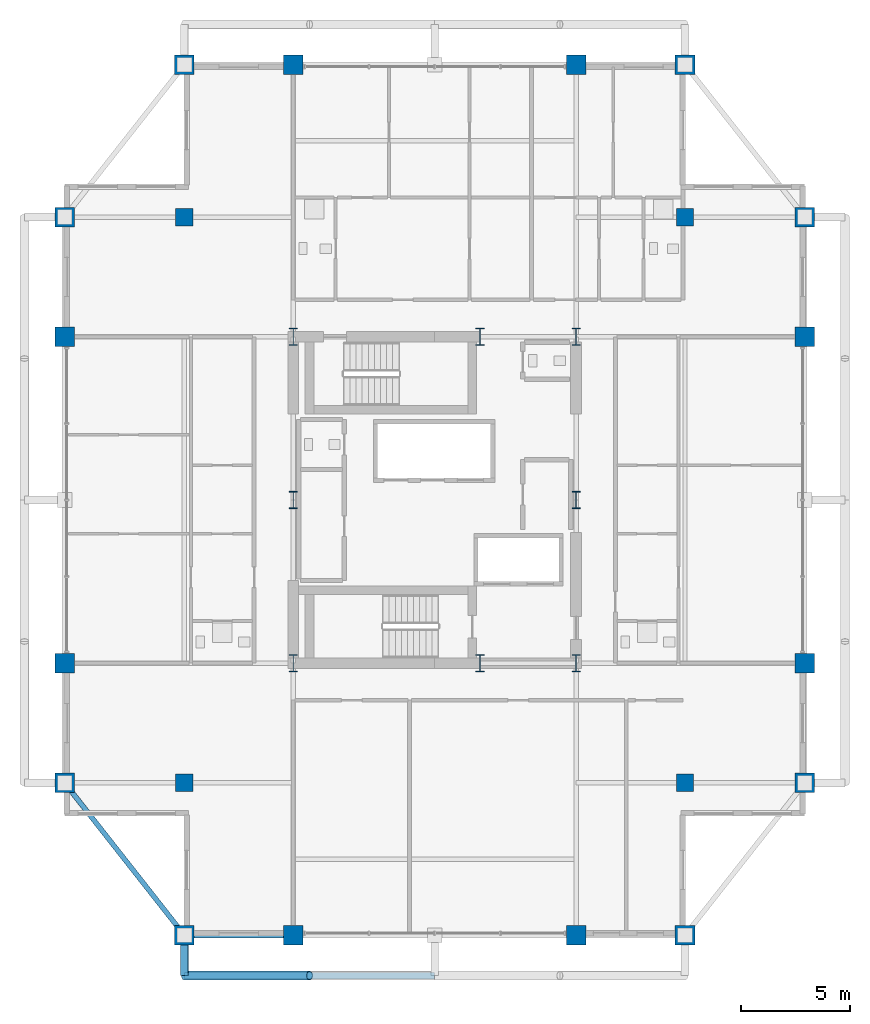
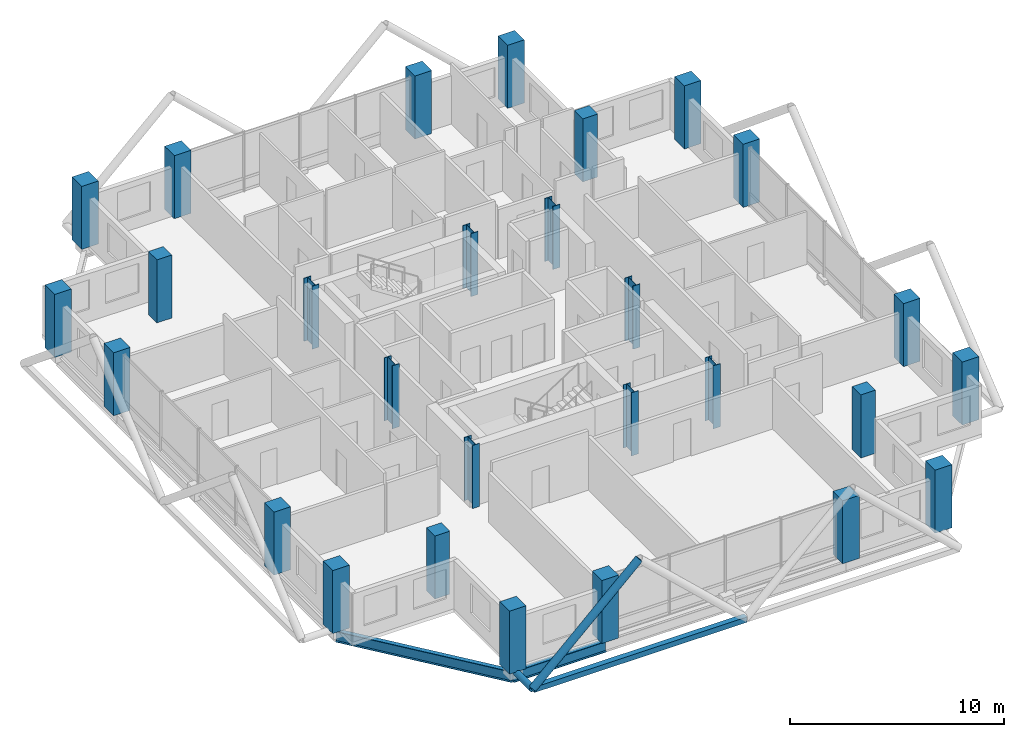
# One storey, part 1 of 24: 28 columns, 3 members, 2 beams.
"""IFC4 building model written with IfcOpenShell, lengths in metres."""

import ifcopenshell
import ifcopenshell.guid

model = None  # the IFC model being written
_history = None  # IfcOwnerHistory: only IFC2X3 demands one
_inside = {}  # id of a spatial element -> (the spatial element, [elements in it])
_under = {}  # id of a project, library or spatial element -> (it, [spatial elements below it])
_declared = {}  # id of a project -> (the project, [libraries it declares])
_typed = {}  # id of a type object -> (the type object, [elements of that type])
_made_of = {}  # id of a material, layer set ... -> (it, [elements and type objects made of it])


def new_model(schema):
    """Start an empty IFC model of exactly this schema.

    Asked for "IFC4X3", IfcOpenShell would pick the latest addendum, in which some entities
    have other attributes; the version numbers below select the first issue.
    IFC2X3 requires an IfcOwnerHistory on every rooted entity: one is made here for all.
    """
    global model, _history
    if schema == "IFC4X3":
        model = ifcopenshell.file(schema_version=(4, 3, 0, 0))
    else:
        model = ifcopenshell.file(schema=schema)
    _inside.clear()
    _under.clear()
    _declared.clear()
    _typed.clear()
    _made_of.clear()
    _history = None
    if model.schema == "IFC2X3":
        org = make("IfcOrganization", Name="unknown")
        user = make(
            "IfcPersonAndOrganization",
            ThePerson=make("IfcPerson", FamilyName="unknown"),
            TheOrganization=org,
        )
        app = make(
            "IfcApplication",
            ApplicationDeveloper=org,
            Version="unknown",
            ApplicationFullName="unknown",
            ApplicationIdentifier="unknown",
        )
        _history = make(
            "IfcOwnerHistory",
            OwningUser=user,
            OwningApplication=app,
            ChangeAction="ADDED",
            CreationDate=0,
        )
    return model


def make(cls, **values):
    """One entity of the class cls with the attributes given. An attribute that is None is left unset."""
    return model.create_entity(
        cls, **{name: value for name, value in values.items() if value is not None}
    )


def rooted(cls, **values):
    """An entity with a GlobalId (a new one), such as an element, a storey or a relation."""
    return make(cls, GlobalId=ifcopenshell.guid.new(), OwnerHistory=_history, **values)


def si_unit(unit_type, name, prefix=None):
    """IfcSIUnit, for example si_unit("LENGTHUNIT", "METRE", prefix="MILLI")."""
    return make("IfcSIUnit", UnitType=unit_type, Prefix=prefix, Name=name)


def assignment(units):
    """IfcUnitAssignment: the units of a project."""
    return None if units is None else make("IfcUnitAssignment", Units=units)


def point(xyz):
    """IfcCartesianPoint."""
    return None if xyz is None else make("IfcCartesianPoint", Coordinates=xyz)


def direction(xyz):
    """IfcDirection."""
    return None if xyz is None else make("IfcDirection", DirectionRatios=xyz)


def frame(location, z_axis=None, x_axis=None):
    """IfcAxis2Placement3D, a coordinate frame: its origin and axes. An axis left out is left unset."""
    return make(
        "IfcAxis2Placement3D",
        Location=point(location),
        Axis=direction(z_axis),
        RefDirection=direction(x_axis),
    )


def frame_2d(location, x_axis=None):
    """IfcAxis2Placement2D, a coordinate frame in the plane: its origin and x axis."""
    return make(
        "IfcAxis2Placement2D", Location=point(location), RefDirection=direction(x_axis)
    )


def origin():
    """The frame at (0, 0, 0) with its axes left unset."""
    return frame((0.0, 0.0, 0.0))


def origin_2d():
    """The frame at (0, 0) in the plane with its x axis left unset."""
    return frame_2d((0.0, 0.0))


def place(relative_to, where):
    """IfcLocalPlacement: puts the frame where relative to a parent placement (None: the world)."""
    return make(
        "IfcLocalPlacement", PlacementRelTo=relative_to, RelativePlacement=where
    )


def context(
    kind, dimensions, precision=None, world=None, true_north=None, identifier=None
):
    """IfcGeometricRepresentationContext, for example the 3D "Model" context."""
    return make(
        "IfcGeometricRepresentationContext",
        ContextIdentifier=identifier,
        ContextType=kind,
        CoordinateSpaceDimension=dimensions,
        Precision=precision,
        WorldCoordinateSystem=world,
        TrueNorth=true_north,
    )


def subcontext(parent, identifier, kind, view, scale=None):
    """IfcGeometricRepresentationSubContext, for example "Body" below "Model"."""
    return make(
        "IfcGeometricRepresentationSubContext",
        ContextIdentifier=identifier,
        ContextType=kind,
        ParentContext=parent,
        TargetScale=scale,
        TargetView=view,
    )


def project(units=None, contexts=None):
    """IfcProject with its units and contexts."""
    return rooted(
        "IfcProject",
        Name="project",
        RepresentationContexts=contexts,
        UnitsInContext=assignment(units),
    )


def spatial(cls, under=None, at=None, **own):
    """A site, building, storey or space (cls), placed at a placement, below another one or the project."""
    s = rooted(cls, ObjectPlacement=at, **own)
    if under is not None:
        _under.setdefault(under.id(), (under, []))[1].append(s)
    return s


def profile(cls, at=None, kind="AREA", **sizes):
    """A parametric profile (cls). Its sizes go by their IFC names, for example OverallWidth=200.0."""
    return make(cls, ProfileType=kind, Position=at, **sizes)


def rectangle(**sizes):
    """IfcRectangleProfileDef."""
    return profile("IfcRectangleProfileDef", **sizes)


def hollow_rectangle(**sizes):
    """IfcRectangleHollowProfileDef."""
    return profile("IfcRectangleHollowProfileDef", **sizes)


def hollow_circle(**sizes):
    """IfcCircleHollowProfileDef."""
    return profile("IfcCircleHollowProfileDef", **sizes)


def i_section(**sizes):
    """IfcIShapeProfileDef."""
    return profile("IfcIShapeProfileDef", **sizes)


def extrude(swept, where, along, depth):
    """IfcExtrudedAreaSolid: the profile swept, set in the frame where, extruded along a direction by depth."""
    return make(
        "IfcExtrudedAreaSolid",
        SweptArea=swept,
        Position=where,
        ExtrudedDirection=direction(along),
        Depth=depth,
    )


def shape(context_of_items, identifier, shape_type, items):
    """IfcShapeRepresentation: the items that make up one representation, for example the "Body"."""
    return make(
        "IfcShapeRepresentation",
        ContextOfItems=context_of_items,
        RepresentationIdentifier=identifier,
        RepresentationType=shape_type,
        Items=items,
    )


def material(Name=None, Category=None):
    """IfcMaterial."""
    return make("IfcMaterial", Name=Name, Category=Category)


def material_profile(
    of_material, cross_section, Name=None, Category=None, Priority=None
):
    """IfcMaterialProfile: a cross section and its material."""
    return make(
        "IfcMaterialProfile",
        Name=Name,
        Material=of_material,
        Profile=cross_section,
        Priority=Priority,
        Category=Category,
    )


def profile_set(profiles, Name=None, composite=None):
    """IfcMaterialProfileSet."""
    return make(
        "IfcMaterialProfileSet",
        Name=Name,
        MaterialProfiles=profiles,
        CompositeProfile=composite,
    )


def made_of(thing, what):
    """Note that an element or type object is made of a material, layer set ...; save() writes the relation."""
    if what is not None:
        _made_of.setdefault(what.id(), (what, []))[1].append(thing)
    return thing


def type_object(cls, material=None, **own):
    """A type object (cls), such as IfcWallType, which elements share."""
    return made_of(rooted(cls, **own), material)


def element(
    cls,
    number,
    at=None,
    inside=None,
    cuts=None,
    type_object=None,
    material=None,
    context=None,
    identifier="Body",
    shape_type=None,
    held_by="IfcProductDefinitionShape",
    body=None,
    shapes=None,
    **own,
):
    """One element of the class cls, such as IfcWall. Its Tag is "e" and its number.

    at: its placement. inside: the storey or other place that contains it. cuts: it is an
    opening in that element (IfcRelVoidsElement). A single representation is given by context,
    identifier, shape_type and body (its items); several are given by shapes. held_by: the class
    of the entity that holds the representations. save() writes the other relations.
    """
    e = rooted(cls, Tag="e%d" % number, ObjectPlacement=at, **own)
    if body is not None:
        shapes = [shape(context, identifier, shape_type, body)]
    if shapes is not None:
        e.Representation = make(held_by, Representations=shapes)
    if inside is not None:
        _inside.setdefault(inside.id(), (inside, []))[1].append(e)
    if cuts is not None:
        rooted(
            "IfcRelVoidsElement", RelatingBuildingElement=cuts, RelatedOpeningElement=e
        )
    if type_object is not None:
        _typed.setdefault(type_object.id(), (type_object, []))[1].append(e)
    return made_of(e, material)


def aggregate(whole, parts):
    """IfcRelAggregates: a whole, such as a stair, and the parts it consists of."""
    return rooted("IfcRelAggregates", RelatingObject=whole, RelatedObjects=parts)


def save(model, path):
    """Write the relations noted so far, then the file.

    IfcRelAggregates (storeys below a building ...), IfcRelContainedInSpatialStructure (elements
    in a storey), IfcRelDefinesByType, IfcRelAssociatesMaterial and IfcRelDeclares: one each for
    every whole, place, type object, material and project.
    """
    for whole, parts in _under.values():
        aggregate(whole, parts)
    for where, things in _inside.values():
        rooted(
            "IfcRelContainedInSpatialStructure",
            RelatedElements=things,
            RelatingStructure=where,
        )
    for kind, things in _typed.values():
        rooted("IfcRelDefinesByType", RelatedObjects=things, RelatingType=kind)
    for what, things in _made_of.values():
        rooted("IfcRelAssociatesMaterial", RelatedObjects=things, RelatingMaterial=what)
    for by, libraries in _declared.values():
        rooted("IfcRelDeclares", RelatingContext=by, RelatedDefinitions=libraries)
    model.write(path)


model = new_model("IFC4")

# Units and contexts
model_context = context("Model", 3, precision=1e-05, world=origin(), true_north=direction((0.0, 1.0)))
body_context = subcontext(model_context, "Body", "Model", "MODEL_VIEW")
ifc_project = project(units=[si_unit("LENGTHUNIT", "METRE"), si_unit("AREAUNIT", "SQUARE_METRE"), si_unit("VOLUMEUNIT", "CUBIC_METRE"), si_unit("PLANEANGLEUNIT", "RADIAN"), si_unit("MASSUNIT", "GRAM", prefix="KILO")], contexts=[model_context])

# Site, building, storey
site_placement = place(None, origin())
site = spatial("IfcSite", under=ifc_project, at=site_placement, CompositionType="ELEMENT")
building_placement = place(site_placement, origin())
building = spatial("IfcBuilding", under=site, at=building_placement, Name="Barlavira Tower and Art Museum", CompositionType="ELEMENT")
storey_placement = place(building_placement, frame((0.0, 0.0, 251.10009765625)))
storey = spatial("IfcBuildingStorey", under=building, at=storey_placement, Name="L65", CompositionType="ELEMENT", Elevation=251.10009765625)

# Columns
ifc_material_1 = material(Name="Steel S355", Category="steel")
ifc_material_profile_1 = material_profile(ifc_material_1, i_section(OverallWidth=0.382080078125, OverallDepth=0.785888671875, WebThickness=0.02001953125, FlangeThickness=0.032958984375, at=origin_2d()), Name="W760x314.0")
ifc_profile_set_1 = profile_set([ifc_material_profile_1], Name="Steel S355")
column_type_1 = type_object("IfcColumnType", Name="Core Composite Column W760x314 Steel S355", PredefinedType="COLUMN", material=ifc_profile_set_1)
for number, where, z_axis, x_axis, name in (
    (1, (-6.5, -7.5, 0.0), (0.0, 0.0, 1.0), (1.0, 0.0, 0.0), "L65 Column CC-L65-C1"),
    (2, (2.080078125, -7.5, 0.0), (0.0, 0.0, 1.0), (1.0, 0.0, 0.0), "L65 Column CC-L65-C2"),
    (3, (6.5, -7.5, 0.0), (0.0, 0.0, 1.0), (1.0, 0.0, 0.0), "L65 Column CC-L65-C3"),
    (4, (-6.5, 0.0, 0.0), (0.0, 0.0, 1.0), (1.0, 0.0, 0.0), "L65 Column CC-L65-C4"),
    (5, (6.5, 0.0, 0.0), (0.0, 0.0, 1.0), (1.0, 0.0, 0.0), "L65 Column CC-L65-C5"),
    (6, (-6.5, 7.5, 0.0), (0.0, 0.0, 1.0), (1.0, 0.0, 0.0), "L65 Column CC-L65-C6"),
    (7, (2.080078125, 7.5, 0.0), (0.0, 0.0, 1.0), (1.0, 0.0, 0.0), "L65 Column CC-L65-C7"),
    (8, (6.5, 7.5, 0.0), (0.0, 0.0, 1.0), (1.0, 0.0, 0.0), "L65 Column CC-L65-C8"),
):
    element("IfcColumn", number, at=place(storey_placement, frame(where, z_axis=z_axis, x_axis=x_axis)), inside=storey, type_object=column_type_1, Name=name, PredefinedType="COLUMN", context=body_context, shape_type="SweptSolid", body=[
        extrude(i_section(OverallWidth=0.382080078125, OverallDepth=0.785888671875, WebThickness=0.02001953125, FlangeThickness=0.032958984375, at=origin_2d()), origin(), (0.0, 0.0, 1.0), 3.599853515625),
    ])
ifc_material_2 = material(Name="Concrete C50", Category="concrete")
ifc_material_profile_2 = material_profile(ifc_material_2, rectangle(XDim=0.89990234375, YDim=0.89990234375, at=origin_2d()), Name="RC-COL 900x900")
ifc_profile_set_2 = profile_set([ifc_material_profile_2], Name="Concrete C50")
column_type_2 = type_object("IfcColumnType", Name="Perimeter Mega Column 900x900 Concrete C50", PredefinedType="USERDEFINED", material=ifc_profile_set_2)
for number, where, z_axis, x_axis, name in (
    (9, (-11.5, -20.0, 0.0), (0.0, 0.0, 1.0), (1.0, 0.0, 0.0), "L65 Column MC-L65-M01"),
    (10, (-6.5, -20.0, 0.0), (0.0, 0.0, 1.0), (1.0, 0.0, 0.0), "L65 Column MC-L65-M02"),
    (11, (6.5, -20.0, 0.0), (0.0, 0.0, 1.0), (1.0, 0.0, 0.0), "L65 Column MC-L65-M03"),
    (12, (11.5, -20.0, 0.0), (0.0, 0.0, 1.0), (1.0, 0.0, 0.0), "L65 Column MC-L65-M04"),
    (13, (17.0, -13.0, 0.0), (0.0, 0.0, 1.0), (1.0, 0.0, 0.0), "L65 Column MC-L65-M05"),
    (14, (17.0, -7.5, 0.0), (0.0, 0.0, 1.0), (1.0, 0.0, 0.0), "L65 Column MC-L65-M06"),
    (15, (17.0, 7.5, 0.0), (0.0, 0.0, 1.0), (1.0, 0.0, 0.0), "L65 Column MC-L65-M07"),
    (16, (17.0, 13.0, 0.0), (0.0, 0.0, 1.0), (1.0, 0.0, 0.0), "L65 Column MC-L65-M08"),
    (17, (11.5, 20.0, 0.0), (0.0, 0.0, 1.0), (1.0, 0.0, 0.0), "L65 Column MC-L65-M09"),
    (18, (6.5, 20.0, 0.0), (0.0, 0.0, 1.0), (1.0, 0.0, 0.0), "L65 Column MC-L65-M10"),
    (19, (-6.5, 20.0, 0.0), (0.0, 0.0, 1.0), (1.0, 0.0, 0.0), "L65 Column MC-L65-M11"),
    (20, (-11.5, 20.0, 0.0), (0.0, 0.0, 1.0), (1.0, 0.0, 0.0), "L65 Column MC-L65-M12"),
    (21, (-17.0, 13.0, 0.0), (0.0, 0.0, 1.0), (1.0, 0.0, 0.0), "L65 Column MC-L65-M13"),
    (22, (-17.0, 7.5, 0.0), (0.0, 0.0, 1.0), (1.0, 0.0, 0.0), "L65 Column MC-L65-M14"),
    (23, (-17.0, -7.5, 0.0), (0.0, 0.0, 1.0), (1.0, 0.0, 0.0), "L65 Column MC-L65-M15"),
    (24, (-17.0, -13.0, 0.0), (0.0, 0.0, 1.0), (1.0, 0.0, 0.0), "L65 Column MC-L65-M16"),
):
    element("IfcColumn", number, at=place(storey_placement, frame(where, z_axis=z_axis, x_axis=x_axis)), inside=storey, type_object=column_type_2, Name=name, ObjectType="MEGA COLUMN", PredefinedType="USERDEFINED", context=body_context, shape_type="SweptSolid", body=[
        extrude(rectangle(XDim=0.89990234375, YDim=0.89990234375, at=origin_2d()), origin(), (0.0, 0.0, 1.0), 3.599853515625),
    ])
ifc_material_profile_3 = material_profile(ifc_material_2, rectangle(XDim=0.800048828125, YDim=0.800048828125, at=origin_2d()), Name="RC-COL 800x800")
ifc_profile_set_3 = profile_set([ifc_material_profile_3], Name="Concrete C50")
column_type_3 = type_object("IfcColumnType", Name="Podium Frame Column 800x800 Concrete C50", PredefinedType="COLUMN", material=ifc_profile_set_3)
for number, where, z_axis, x_axis, name in (
    (25, (-11.5, -13.0, 0.0), (0.0, 0.0, 1.0), (1.0, 0.0, 0.0), "L65 Column CI-L65-I1"),
    (26, (11.5, -13.0, 0.0), (0.0, 0.0, 1.0), (1.0, 0.0, 0.0), "L65 Column CI-L65-I2"),
    (27, (-11.5, 13.0, 0.0), (0.0, 0.0, 1.0), (1.0, 0.0, 0.0), "L65 Column CI-L65-I3"),
    (28, (11.5, 13.0, 0.0), (0.0, 0.0, 1.0), (1.0, 0.0, 0.0), "L65 Column CI-L65-I4"),
):
    element("IfcColumn", number, at=place(storey_placement, frame(where, z_axis=z_axis, x_axis=x_axis)), inside=storey, type_object=column_type_3, Name=name, PredefinedType="COLUMN", context=body_context, shape_type="SweptSolid", body=[
        extrude(rectangle(XDim=0.800048828125, YDim=0.800048828125, at=origin_2d()), origin(), (0.0, 0.0, 1.0), 3.599853515625),
    ])

# Members
ifc_material_profile_4 = material_profile(ifc_material_1, hollow_circle(Radius=0.203125, WallThickness=0.01611328125, at=origin_2d()), Name="CHS 406.4x16.0")
ifc_profile_set_4 = profile_set([ifc_material_profile_4], Name="Steel S355")
member_type_1 = type_object("IfcMemberType", Name="Pale-Metal Exoskeleton Diagrid Tube CHS 406x16 Steel S355", PredefinedType="BRACE", material=ifc_profile_set_4)
member_1_placement = place(storey_placement, frame((-11.5, -21.85009765625, -0.1201171875), z_axis=(0.728950095515, 0.0, 0.684566839869), x_axis=(0.0, 1.0, 0.0)))
element("IfcMember", 29, at=member_1_placement, inside=storey, type_object=member_type_1, Name="L65 Exoskeleton Diagrid Tube S", PredefinedType="BRACE", context=body_context, shape_type="SweptSolid", body=[
    extrude(hollow_circle(Radius=0.203125, WallThickness=0.01611328125, at=origin_2d()), origin(), (0.0, 0.0, 1.0), 7.887939453125),
])
ifc_material_profile_5 = material_profile(ifc_material_1, hollow_circle(Radius=0.177734375, WallThickness=0.01611328125, at=origin_2d()), Name="CHS 355.6x16.0")
ifc_profile_set_5 = profile_set([ifc_material_profile_5], Name="Steel S355")
member_type_2 = type_object("IfcMemberType", Name="Pale-Metal Exoskeleton Tie Strut CHS 356x16 Steel S355", PredefinedType="STRUT", material=ifc_profile_set_5)
member_2_placement = place(storey_placement, frame((-11.5, -21.85009765625, -0.1201171875), z_axis=(0.0, 1.0, 0.0), x_axis=(-1.0, 0.0, 0.0)))
element("IfcMember", 30, at=member_2_placement, inside=storey, type_object=member_type_2, Name="L65 Exoskeleton Tie Strut S1", PredefinedType="STRUT", context=body_context, shape_type="SweptSolid", body=[
    extrude(hollow_circle(Radius=0.177734375, WallThickness=0.01611328125, at=origin_2d()), origin(), (0.0, 0.0, 1.0), 1.85009765625),
])
ifc_material_profile_6 = material_profile(ifc_material_1, hollow_rectangle(XDim=0.300048828125, YDim=0.300048828125, WallThickness=0.01611328125, at=origin_2d()), Name="SHS 300x300x16.0")
ifc_profile_set_6 = profile_set([ifc_material_profile_6], Name="Steel S355")
member_type_3 = type_object("IfcMemberType", Name="Pale-Metal Upper Ring Strut SHS 300x300x16 Steel S355", PredefinedType="STRUT", material=ifc_profile_set_6)
member_3_placement = place(storey_placement, frame((-11.5, -21.85009765625, -0.1201171875), z_axis=(1.0, 0.0, 0.0), x_axis=(0.0, 1.0, 0.0)))
element("IfcMember", 31, at=member_3_placement, inside=storey, type_object=member_type_3, Name="L65 Exoskeleton Ring Strut S", PredefinedType="STRUT", context=body_context, shape_type="SweptSolid", body=[
    extrude(hollow_rectangle(XDim=0.300048828125, YDim=0.300048828125, WallThickness=0.01611328125, at=origin_2d()), origin(), (0.0, 0.0, 1.0), 11.5),
])

# Beams
ifc_material_profile_7 = material_profile(ifc_material_1, i_section(OverallWidth=0.22998046875, OverallDepth=0.616943359375, WebThickness=0.01318359375, FlangeThickness=0.022216796875, at=origin_2d()), Name="W610x140.0")
ifc_profile_set_7 = profile_set([ifc_material_profile_7], Name="Steel S355")
beam_type = type_object("IfcBeamType", Name="Upper Shaft Spandrel Edge Beam W610x140 Steel S355", PredefinedType="SPANDREL", material=ifc_profile_set_7)
beam_1_placement = place(storey_placement, frame((-11.5, -20.0, -0.528564453125), z_axis=(1.0, 0.0, 0.0), x_axis=(0.0, 1.0, 0.0)))
element("IfcBeam", 32, at=beam_1_placement, inside=storey, type_object=beam_type, Name="L65 Spandrel 1", PredefinedType="SPANDREL", context=body_context, shape_type="SweptSolid", body=[
    extrude(i_section(OverallWidth=0.22998046875, OverallDepth=0.616943359375, WebThickness=0.01318359375, FlangeThickness=0.022216796875, at=origin_2d()), origin(), (0.0, 0.0, 1.0), 5.0),
])
beam_2_placement = place(storey_placement, frame((-17.0, -13.0, -0.528564453125), z_axis=(0.617821551932, -0.786318338822, 0.0), x_axis=(0.786318338822, 0.617821551932, 0.0)))
element("IfcBeam", 33, at=beam_2_placement, inside=storey, type_object=beam_type, Name="L65 Spandrel 16", PredefinedType="SPANDREL", context=body_context, shape_type="SweptSolid", body=[
    extrude(i_section(OverallWidth=0.22998046875, OverallDepth=0.616943359375, WebThickness=0.01318359375, FlangeThickness=0.022216796875, at=origin_2d()), origin(), (0.0, 0.0, 1.0), 8.90234375),
])

save(model, "model.ifc")
